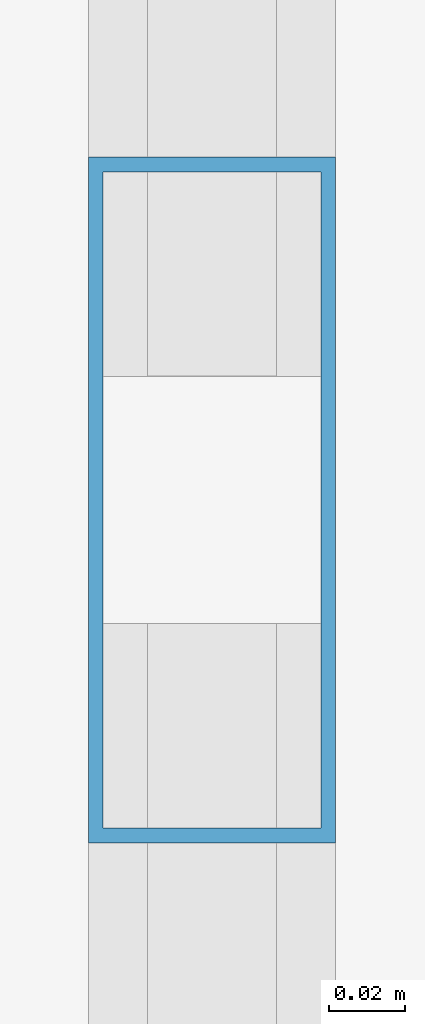
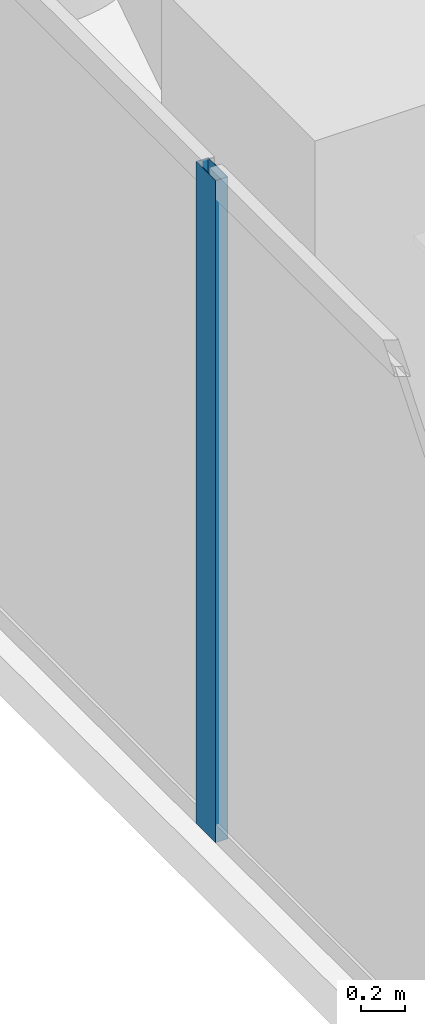
# One storey, part 13 of 30: 1 member, 1 element without a shape of its own.
"""IFC4 building model written with IfcOpenShell, lengths in metres."""

import ifcopenshell
import ifcopenshell.guid

model = None  # the IFC model being written
_history = None  # IfcOwnerHistory: only IFC2X3 demands one
_inside = {}  # id of a spatial element -> (the spatial element, [elements in it])
_under = {}  # id of a project, library or spatial element -> (it, [spatial elements below it])
_declared = {}  # id of a project -> (the project, [libraries it declares])
_typed = {}  # id of a type object -> (the type object, [elements of that type])
_made_of = {}  # id of a material, layer set ... -> (it, [elements and type objects made of it])


def new_model(schema):
    """Start an empty IFC model of exactly this schema.

    Asked for "IFC4X3", IfcOpenShell would pick the latest addendum, in which some entities
    have other attributes; the version numbers below select the first issue.
    IFC2X3 requires an IfcOwnerHistory on every rooted entity: one is made here for all.
    """
    global model, _history
    if schema == "IFC4X3":
        model = ifcopenshell.file(schema_version=(4, 3, 0, 0))
    else:
        model = ifcopenshell.file(schema=schema)
    _inside.clear()
    _under.clear()
    _declared.clear()
    _typed.clear()
    _made_of.clear()
    _history = None
    if model.schema == "IFC2X3":
        org = make("IfcOrganization", Name="unknown")
        user = make(
            "IfcPersonAndOrganization",
            ThePerson=make("IfcPerson", FamilyName="unknown"),
            TheOrganization=org,
        )
        app = make(
            "IfcApplication",
            ApplicationDeveloper=org,
            Version="unknown",
            ApplicationFullName="unknown",
            ApplicationIdentifier="unknown",
        )
        _history = make(
            "IfcOwnerHistory",
            OwningUser=user,
            OwningApplication=app,
            ChangeAction="ADDED",
            CreationDate=0,
        )
    return model


def make(cls, **values):
    """One entity of the class cls with the attributes given. An attribute that is None is left unset."""
    return model.create_entity(
        cls, **{name: value for name, value in values.items() if value is not None}
    )


def rooted(cls, **values):
    """An entity with a GlobalId (a new one), such as an element, a storey or a relation."""
    return make(cls, GlobalId=ifcopenshell.guid.new(), OwnerHistory=_history, **values)


def si_unit(unit_type, name, prefix=None):
    """IfcSIUnit, for example si_unit("LENGTHUNIT", "METRE", prefix="MILLI")."""
    return make("IfcSIUnit", UnitType=unit_type, Prefix=prefix, Name=name)


def assignment(units):
    """IfcUnitAssignment: the units of a project."""
    return None if units is None else make("IfcUnitAssignment", Units=units)


def point(xyz):
    """IfcCartesianPoint."""
    return None if xyz is None else make("IfcCartesianPoint", Coordinates=xyz)


def direction(xyz):
    """IfcDirection."""
    return None if xyz is None else make("IfcDirection", DirectionRatios=xyz)


def frame(location, z_axis=None, x_axis=None):
    """IfcAxis2Placement3D, a coordinate frame: its origin and axes. An axis left out is left unset."""
    return make(
        "IfcAxis2Placement3D",
        Location=point(location),
        Axis=direction(z_axis),
        RefDirection=direction(x_axis),
    )


def frame_2d(location, x_axis=None):
    """IfcAxis2Placement2D, a coordinate frame in the plane: its origin and x axis."""
    return make(
        "IfcAxis2Placement2D", Location=point(location), RefDirection=direction(x_axis)
    )


def origin():
    """The frame at (0, 0, 0) with its axes left unset."""
    return frame((0.0, 0.0, 0.0))


def origin_2d():
    """The frame at (0, 0) in the plane with its x axis left unset."""
    return frame_2d((0.0, 0.0))


def place(relative_to, where):
    """IfcLocalPlacement: puts the frame where relative to a parent placement (None: the world)."""
    return make(
        "IfcLocalPlacement", PlacementRelTo=relative_to, RelativePlacement=where
    )


def context(
    kind, dimensions, precision=None, world=None, true_north=None, identifier=None
):
    """IfcGeometricRepresentationContext, for example the 3D "Model" context."""
    return make(
        "IfcGeometricRepresentationContext",
        ContextIdentifier=identifier,
        ContextType=kind,
        CoordinateSpaceDimension=dimensions,
        Precision=precision,
        WorldCoordinateSystem=world,
        TrueNorth=true_north,
    )


def subcontext(parent, identifier, kind, view, scale=None):
    """IfcGeometricRepresentationSubContext, for example "Body" below "Model"."""
    return make(
        "IfcGeometricRepresentationSubContext",
        ContextIdentifier=identifier,
        ContextType=kind,
        ParentContext=parent,
        TargetScale=scale,
        TargetView=view,
    )


def project(units=None, contexts=None):
    """IfcProject with its units and contexts."""
    return rooted(
        "IfcProject",
        Name="project",
        RepresentationContexts=contexts,
        UnitsInContext=assignment(units),
    )


def spatial(cls, under=None, at=None, **own):
    """A site, building, storey or space (cls), placed at a placement, below another one or the project."""
    s = rooted(cls, ObjectPlacement=at, **own)
    if under is not None:
        _under.setdefault(under.id(), (under, []))[1].append(s)
    return s


def profile(cls, at=None, kind="AREA", **sizes):
    """A parametric profile (cls). Its sizes go by their IFC names, for example OverallWidth=200.0."""
    return make(cls, ProfileType=kind, Position=at, **sizes)


def hollow_rectangle(**sizes):
    """IfcRectangleHollowProfileDef."""
    return profile("IfcRectangleHollowProfileDef", **sizes)


def extrude(swept, where, along, depth):
    """IfcExtrudedAreaSolid: the profile swept, set in the frame where, extruded along a direction by depth."""
    return make(
        "IfcExtrudedAreaSolid",
        SweptArea=swept,
        Position=where,
        ExtrudedDirection=direction(along),
        Depth=depth,
    )


def shape(context_of_items, identifier, shape_type, items):
    """IfcShapeRepresentation: the items that make up one representation, for example the "Body"."""
    return make(
        "IfcShapeRepresentation",
        ContextOfItems=context_of_items,
        RepresentationIdentifier=identifier,
        RepresentationType=shape_type,
        Items=items,
    )


def material(Name=None, Category=None):
    """IfcMaterial."""
    return make("IfcMaterial", Name=Name, Category=Category)


def layer(
    of_material, thickness, ventilated=None, Name=None, Category=None, Priority=None
):
    """IfcMaterialLayer: one layer of a wall or slab, of a material (None: an air gap)."""
    return make(
        "IfcMaterialLayer",
        Material=of_material,
        LayerThickness=thickness,
        IsVentilated=ventilated,
        Name=Name,
        Category=Category,
        Priority=Priority,
    )


def layer_set(layers, Name=None):
    """IfcMaterialLayerSet."""
    return make("IfcMaterialLayerSet", MaterialLayers=layers, LayerSetName=Name)


def material_profile(
    of_material, cross_section, Name=None, Category=None, Priority=None
):
    """IfcMaterialProfile: a cross section and its material."""
    return make(
        "IfcMaterialProfile",
        Name=Name,
        Material=of_material,
        Profile=cross_section,
        Priority=Priority,
        Category=Category,
    )


def profile_set(profiles, Name=None, composite=None):
    """IfcMaterialProfileSet."""
    return make(
        "IfcMaterialProfileSet",
        Name=Name,
        MaterialProfiles=profiles,
        CompositeProfile=composite,
    )


def made_of(thing, what):
    """Note that an element or type object is made of a material, layer set ...; save() writes the relation."""
    if what is not None:
        _made_of.setdefault(what.id(), (what, []))[1].append(thing)
    return thing


def type_object(cls, material=None, **own):
    """A type object (cls), such as IfcWallType, which elements share."""
    return made_of(rooted(cls, **own), material)


def element(
    cls,
    number,
    at=None,
    inside=None,
    cuts=None,
    type_object=None,
    material=None,
    context=None,
    identifier="Body",
    shape_type=None,
    held_by="IfcProductDefinitionShape",
    body=None,
    shapes=None,
    **own,
):
    """One element of the class cls, such as IfcWall. Its Tag is "e" and its number.

    at: its placement. inside: the storey or other place that contains it. cuts: it is an
    opening in that element (IfcRelVoidsElement). A single representation is given by context,
    identifier, shape_type and body (its items); several are given by shapes. held_by: the class
    of the entity that holds the representations. save() writes the other relations.
    """
    e = rooted(cls, Tag="e%d" % number, ObjectPlacement=at, **own)
    if body is not None:
        shapes = [shape(context, identifier, shape_type, body)]
    if shapes is not None:
        e.Representation = make(held_by, Representations=shapes)
    if inside is not None:
        _inside.setdefault(inside.id(), (inside, []))[1].append(e)
    if cuts is not None:
        rooted(
            "IfcRelVoidsElement", RelatingBuildingElement=cuts, RelatedOpeningElement=e
        )
    if type_object is not None:
        _typed.setdefault(type_object.id(), (type_object, []))[1].append(e)
    return made_of(e, material)


def aggregate(whole, parts):
    """IfcRelAggregates: a whole, such as a stair, and the parts it consists of."""
    return rooted("IfcRelAggregates", RelatingObject=whole, RelatedObjects=parts)


def save(model, path):
    """Write the relations noted so far, then the file.

    IfcRelAggregates (storeys below a building ...), IfcRelContainedInSpatialStructure (elements
    in a storey), IfcRelDefinesByType, IfcRelAssociatesMaterial and IfcRelDeclares: one each for
    every whole, place, type object, material and project.
    """
    for whole, parts in _under.values():
        aggregate(whole, parts)
    for where, things in _inside.values():
        rooted(
            "IfcRelContainedInSpatialStructure",
            RelatedElements=things,
            RelatingStructure=where,
        )
    for kind, things in _typed.values():
        rooted("IfcRelDefinesByType", RelatedObjects=things, RelatingType=kind)
    for what, things in _made_of.values():
        rooted("IfcRelAssociatesMaterial", RelatedObjects=things, RelatingMaterial=what)
    for by, libraries in _declared.values():
        rooted("IfcRelDeclares", RelatingContext=by, RelatedDefinitions=libraries)
    model.write(path)


model = new_model("IFC4")

# Units and contexts
model_context = context("Model", 3, precision=1e-05, world=origin(), true_north=direction((0.0, 1.0)))
body_context = subcontext(model_context, "Body", "Model", "MODEL_VIEW")
ifc_project = project(units=[si_unit("LENGTHUNIT", "METRE"), si_unit("AREAUNIT", "SQUARE_METRE"), si_unit("VOLUMEUNIT", "CUBIC_METRE"), si_unit("PLANEANGLEUNIT", "RADIAN"), si_unit("MASSUNIT", "GRAM", prefix="KILO")], contexts=[model_context])

# Site, building, storey
site_placement = place(None, origin())
site = spatial("IfcSite", under=ifc_project, at=site_placement, CompositionType="ELEMENT")
building_placement = place(site_placement, origin())
building = spatial("IfcBuilding", under=site, at=building_placement, Name="Kiyonajd Concourse Tower", CompositionType="ELEMENT")
storey_placement = place(building_placement, frame((0.0, 0.0, 154.5)))
storey = spatial("IfcBuildingStorey", under=building, at=storey_placement, Name="L39", CompositionType="ELEMENT", Elevation=154.5)

# Curtain wall, member
ifc_material = material(Name="Thermally Broken Anodised Aluminium", Category="aluminium")
ifc_layer = layer(ifc_material, 0.179931640625)
ifc_layer_set = layer_set([ifc_layer], Name="Thermally Broken Anodised Aluminium")
curtain_wall_type = type_object("IfcCurtainWallType", Name="CW-SYS-03", PredefinedType="NOTDEFINED", material=ifc_layer_set)
curtain_wall_placement = place(storey_placement, origin())
curtain_wall = element("IfcCurtainWall", 1, at=curtain_wall_placement, inside=storey, type_object=curtain_wall_type, Name="L39 Unitised Curtain Wall CW3", PredefinedType="NOTDEFINED")
ifc_material_profile = material_profile(ifc_material, hollow_rectangle(XDim=0.06494140625, YDim=0.179931640625, WallThickness=0.00390625, at=origin_2d()), Name="MULL-65x180")
ifc_profile_set = profile_set([ifc_material_profile], Name="Thermally Broken Anodised Aluminium")
member_type = type_object("IfcMemberType", Name="MB-CW-MULL1", PredefinedType="MULLION", material=ifc_profile_set)
member_placement = place(storey_placement, frame((18.139892578125, 53.0146484375, 0.0), z_axis=(0.0, 0.0, 1.0), x_axis=(-1.0, 0.0, 0.0)))
member = element("IfcMember", 2, at=member_placement, type_object=member_type, Name="CW3 mullion 6", PredefinedType="MULLION", context=body_context, shape_type="SweptSolid", body=[
    extrude(hollow_rectangle(XDim=0.06494140625, YDim=0.179931640625, WallThickness=0.00390625, at=origin_2d()), origin(), (0.0, 0.0, 1.0), 3.679931640625),
])
aggregate(curtain_wall, [member])

save(model, "model.ifc")
